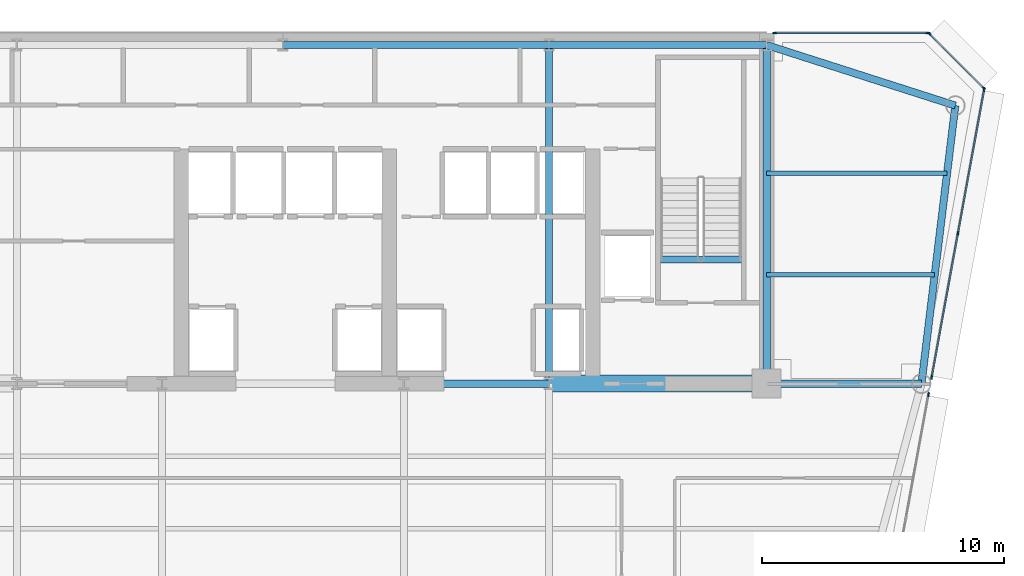
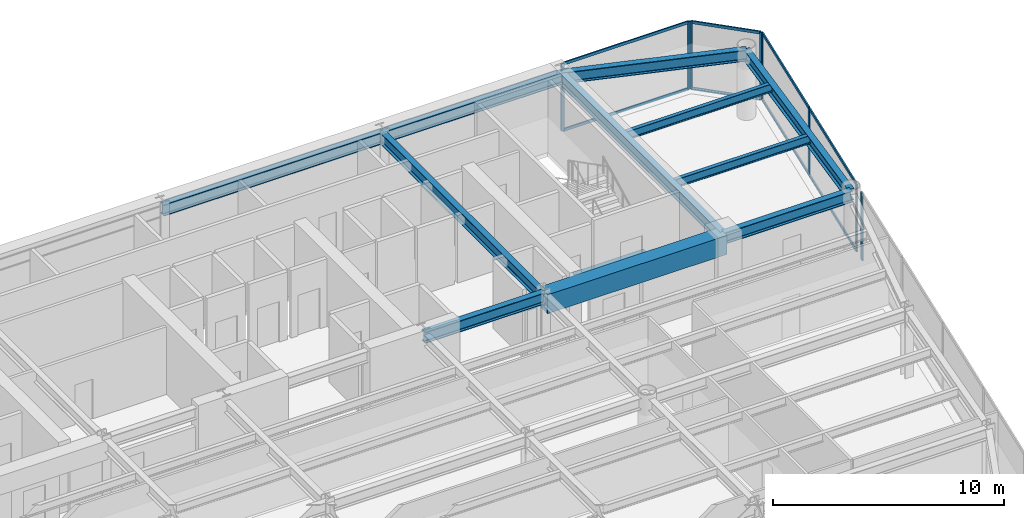
# One storey, part 9 of 17: 16 members, 12 beams, 4 elements without a shape of their own.
"""IFC4 building model written with IfcOpenShell, lengths in metres."""

from ifc_helpers import new_model, si_unit, direction, frame, origin, origin_2d, place, context, subcontext, project, spatial, rectangle, i_section, extrude, source, transform, mapped, material, layer, layer_set, material_profile, profile_set, type_object, element, aggregate, save


model = new_model("IFC4")

# Units and contexts
model_context = context("Model", 3, precision=1e-05, world=origin(), true_north=direction((0.0, 1.0)))
body_context = subcontext(model_context, "Body", "Model", "MODEL_VIEW")
ifc_project = project(units=[si_unit("LENGTHUNIT", "METRE"), si_unit("AREAUNIT", "SQUARE_METRE"), si_unit("VOLUMEUNIT", "CUBIC_METRE"), si_unit("PLANEANGLEUNIT", "RADIAN"), si_unit("MASSUNIT", "GRAM", prefix="KILO")], contexts=[model_context])

# Site, building, storey
site_placement = place(None, origin())
site = spatial("IfcSite", under=ifc_project, at=site_placement, CompositionType="ELEMENT")
building_placement = place(site_placement, origin())
building = spatial("IfcBuilding", under=site, at=building_placement, Name="Vaeldorn Concourse Tower", CompositionType="ELEMENT")
storey_placement = place(building_placement, frame((0.0, 0.0, 172.800048828125)))
storey = spatial("IfcBuildingStorey", under=building, at=storey_placement, Name="L44", CompositionType="ELEMENT", Elevation=172.800048828125)

# Beams
ifc_material_1 = material(Name="Concrete C50/60", Category="concrete")
ifc_material_profile_1 = material_profile(ifc_material_1, rectangle(XDim=0.699951171875, YDim=1.0, at=origin_2d()), Name="RC 700x1000")
ifc_profile_set_1 = profile_set([ifc_material_profile_1], Name="Concrete C50/60")
beam_type_1 = type_object("IfcBeamType", Name="BM-CB-RC700", PredefinedType="BEAM", material=ifc_profile_set_1)
shared_shape_1 = source(origin(), body_context, "Body", "SweptSolid", [
    extrude(rectangle(XDim=0.699951171875, YDim=1.0, at=origin_2d()), origin(), (0.0, 0.0, 1.0), 9.0),
])
beam_1_placement = place(storey_placement, frame((45.0, 36.5, 3.079833984375), z_axis=(1.0, 0.0, 0.0), x_axis=(0.0, 1.0, 0.0)))
element("IfcBeam", 1, at=beam_1_placement, inside=storey, type_object=beam_type_1, Name="Core Coupling Beam L44-2", PredefinedType="BEAM", context=body_context, shape_type="MappedRepresentation", body=[
    mapped(shared_shape_1, transform((0.0, 0.0, 0.0), scale=1.0)),
])
ifc_material_2 = material(Name="Steel S355", Category="steel")
ifc_material_profile_2 = material_profile(ifc_material_2, i_section(OverallWidth=0.300048828125, OverallDepth=0.340087890625, WebThickness=0.011962890625, FlangeThickness=0.021484375, FilletRadius=0.027099609375, at=origin_2d()), Name="HEB 340")
ifc_profile_set_2 = profile_set([ifc_material_profile_2], Name="Steel S355")
beam_type_2 = type_object("IfcBeamType", Name="BM-ST-TRIM", PredefinedType="BEAM", material=ifc_profile_set_2)
shared_shape_2 = source(origin(), body_context, "Body", "SweptSolid", [
    extrude(i_section(OverallWidth=0.300048828125, OverallDepth=0.340087890625, WebThickness=0.011962890625, FlangeThickness=0.021484375, FilletRadius=0.027099609375, at=origin_2d()), origin(), (0.0, 0.0, 1.0), 3.590087890625),
])
beam_2_placement = place(storey_placement, frame((49.47998046875, 41.639892578125, -0.39013671875), z_axis=(1.0, 0.0, 0.0), x_axis=(0.0, 1.0, 0.0)))
element("IfcBeam", 2, at=beam_2_placement, inside=storey, type_object=beam_type_2, Name="Stair Landing Trimmer Beam ST-2 L44", PredefinedType="BEAM", context=body_context, shape_type="MappedRepresentation", body=[
    mapped(shared_shape_2, transform((0.0, 0.0, 0.0), scale=1.0)),
])
ifc_material_profile_3 = material_profile(ifc_material_2, i_section(OverallWidth=0.18994140625, OverallDepth=0.449951171875, WebThickness=0.009521484375, FlangeThickness=0.0146484375, FilletRadius=0.02099609375, at=origin_2d()), Name="IPE 450")
ifc_profile_set_3 = profile_set([ifc_material_profile_3], Name="Steel S355")
beam_type_3 = type_object("IfcBeamType", Name="BM-JS-IPE450", PredefinedType="JOIST", material=ifc_profile_set_3)
shared_shape_3 = source(origin(), body_context, "Body", "SweptSolid", [
    extrude(i_section(OverallWidth=0.18994140625, OverallDepth=0.449951171875, WebThickness=0.009521484375, FlangeThickness=0.0146484375, FilletRadius=0.02099609375, at=origin_2d()), origin(), (0.0, 0.0, 1.0), 6.94775390625),
])
beam_3_placement = place(storey_placement, frame((54.0, 41.0, 3.35498046875), z_axis=(1.0, 0.0, 0.0), x_axis=(0.0, 1.0, 0.0)))
element("IfcBeam", 3, at=beam_3_placement, inside=storey, type_object=beam_type_3, Name="Beam JS-L44-NE-410", PredefinedType="JOIST", context=body_context, shape_type="MappedRepresentation", body=[
    mapped(shared_shape_3, transform((0.0, 0.0, 0.0), scale=1.0)),
])
shared_shape_4 = source(origin(), body_context, "Body", "SweptSolid", [
    extrude(i_section(OverallWidth=0.18994140625, OverallDepth=0.449951171875, WebThickness=0.009521484375, FlangeThickness=0.0146484375, FilletRadius=0.02099609375, at=origin_2d()), origin(), (0.0, 0.0, 1.0), 7.458984375),
])
beam_4_placement = place(storey_placement, frame((54.0, 45.199951171875, 3.35498046875), z_axis=(1.0, 0.0, 0.0), x_axis=(0.0, 1.0, 0.0)))
element("IfcBeam", 4, at=beam_4_placement, inside=storey, type_object=beam_type_3, Name="Beam JS-L44-NE-452", PredefinedType="JOIST", context=body_context, shape_type="MappedRepresentation", body=[
    mapped(shared_shape_4, transform((0.0, 0.0, 0.0), scale=1.0)),
])
ifc_material_profile_4 = material_profile(ifc_material_2, i_section(OverallWidth=0.300048828125, OverallDepth=0.60009765625, WebThickness=0.015380859375, FlangeThickness=0.030029296875, FilletRadius=0.027099609375, at=origin_2d()), Name="HEB 600")
ifc_profile_set_4 = profile_set([ifc_material_profile_4], Name="Steel S355")
beam_type_4 = type_object("IfcBeamType", Name="BM-PG-HEB600", PredefinedType="BEAM", material=ifc_profile_set_4)
shared_shape_5 = source(origin(), body_context, "Body", "SweptSolid", [
    extrude(i_section(OverallWidth=0.300048828125, OverallDepth=0.60009765625, WebThickness=0.015380859375, FlangeThickness=0.030029296875, FilletRadius=0.027099609375, at=origin_2d()), origin(), (0.0, 0.0, 1.0), 6.0),
])
beam_5_placement = place(storey_placement, frame((39.0, 36.5, 3.280029296875), z_axis=(1.0, 0.0, 0.0), x_axis=(0.0, 1.0, 0.0)))
element("IfcBeam", 5, at=beam_5_placement, inside=storey, type_object=beam_type_4, Name="Beam BM-L44-C-FC4-C-FC5", PredefinedType="BEAM", context=body_context, shape_type="MappedRepresentation", body=[
    mapped(shared_shape_5, transform((0.0, 0.0, 0.0), scale=1.0)),
])
shared_shape_6 = source(origin(), body_context, "Body", "SweptSolid", [
    extrude(i_section(OverallWidth=0.300048828125, OverallDepth=0.60009765625, WebThickness=0.015380859375, FlangeThickness=0.030029296875, FilletRadius=0.027099609375, at=origin_2d()), origin(), (0.0, 0.0, 1.0), 9.0),
])
beam_6_placement = place(storey_placement, frame((45.0, 50.5, 3.280029296875), z_axis=(1.0, 0.0, 0.0), x_axis=(0.0, 1.0, 0.0)))
element("IfcBeam", 6, at=beam_6_placement, inside=storey, type_object=beam_type_4, Name="Beam BM-L44-C-HC4-C-HC5", PredefinedType="BEAM", context=body_context, shape_type="MappedRepresentation", body=[
    mapped(shared_shape_6, transform((0.0, 0.0, 0.0), scale=1.0)),
])
shared_shape_7 = source(origin(), body_context, "Body", "SweptSolid", [
    extrude(i_section(OverallWidth=0.300048828125, OverallDepth=0.60009765625, WebThickness=0.015380859375, FlangeThickness=0.030029296875, FilletRadius=0.027099609375, at=origin_2d()), origin(), (0.0, 0.0, 1.0), 11.0),
])
beam_7_placement = place(storey_placement, frame((34.0, 50.5, 3.280029296875), z_axis=(1.0, 0.0, 0.0), x_axis=(0.0, 1.0, 0.0)))
element("IfcBeam", 7, at=beam_7_placement, inside=storey, type_object=beam_type_4, Name="Beam BM-L44-C-HC3-C-HC4", PredefinedType="BEAM", context=body_context, shape_type="MappedRepresentation", body=[
    mapped(shared_shape_7, transform((0.0, 0.0, 0.0), scale=1.0)),
])
shared_shape_8 = source(origin(), body_context, "Body", "SweptSolid", [
    extrude(i_section(OverallWidth=0.300048828125, OverallDepth=0.60009765625, WebThickness=0.015380859375, FlangeThickness=0.030029296875, FilletRadius=0.027099609375, at=origin_2d()), origin(), (0.0, 0.0, 1.0), 14.0),
])
for number, where, z_axis, x_axis, name in (
    (8, (45.0, 36.5, 3.280029296875), (0.0, 1.0, 0.0), (-1.0, 0.0, 0.0), "Beam BM-L44-C-FC5-C-HC4"),
    (9, (54.0, 36.5, 3.280029296875), (0.0, 1.0, 0.0), (-1.0, 0.0, 0.0), "Beam BM-L44-C-FC6-C-HC5"),
):
    element("IfcBeam", number, at=place(storey_placement, frame(where, z_axis=z_axis, x_axis=x_axis)), inside=storey, type_object=beam_type_4, Name=name, PredefinedType="BEAM", context=body_context, shape_type="MappedRepresentation", body=[
        mapped(shared_shape_8, transform((0.0, 0.0, 0.0), scale=1.0)),
    ])
shared_shape_9 = source(origin(), body_context, "Body", "SweptSolid", [
    extrude(i_section(OverallWidth=0.300048828125, OverallDepth=0.60009765625, WebThickness=0.015380859375, FlangeThickness=0.030029296875, FilletRadius=0.027099609375, at=origin_2d()), origin(), (0.0, 0.0, 1.0), 8.19091796875),
])
beam_8_placement = place(storey_placement, frame((54.0, 50.5, 3.280029296875), z_axis=(0.952282843383, -0.305216949396, 0.0), x_axis=(0.305216949396, 0.952282843383, 0.0)))
element("IfcBeam", 10, at=beam_8_placement, inside=storey, type_object=beam_type_4, Name="Beam BM-L44-C-HC5-C-NE1", PredefinedType="BEAM", context=body_context, shape_type="MappedRepresentation", body=[
    mapped(shared_shape_9, transform((0.0, 0.0, 0.0), scale=1.0)),
])
shared_shape_10 = source(origin(), body_context, "Body", "SweptSolid", [
    extrude(i_section(OverallWidth=0.300048828125, OverallDepth=0.60009765625, WebThickness=0.015380859375, FlangeThickness=0.030029296875, FilletRadius=0.027099609375, at=origin_2d()), origin(), (0.0, 0.0, 1.0), 11.5849609375),
])
beam_9_placement = place(storey_placement, frame((61.800048828125, 48.0, 3.280029296875), z_axis=(-0.120859382899, -0.992669637677, 0.0), x_axis=(0.992669637677, -0.120859382899, 0.0)))
element("IfcBeam", 11, at=beam_9_placement, inside=storey, type_object=beam_type_4, Name="Beam BM-L44-C-NE1-C-NE2", PredefinedType="BEAM", context=body_context, shape_type="MappedRepresentation", body=[
    mapped(shared_shape_10, transform((0.0, 0.0, 0.0), scale=1.0)),
])
shared_shape_11 = source(origin(), body_context, "Body", "SweptSolid", [
    extrude(i_section(OverallWidth=0.300048828125, OverallDepth=0.60009765625, WebThickness=0.015380859375, FlangeThickness=0.030029296875, FilletRadius=0.027099609375, at=origin_2d()), origin(), (0.0, 0.0, 1.0), 6.39990234375),
])
beam_10_placement = place(storey_placement, frame((54.0, 36.5, 3.280029296875), z_axis=(1.0, 0.0, 0.0), x_axis=(0.0, 1.0, 0.0)))
element("IfcBeam", 12, at=beam_10_placement, inside=storey, type_object=beam_type_4, Name="Beam BM-L44-C-FC6-C-NE2", PredefinedType="BEAM", context=body_context, shape_type="MappedRepresentation", body=[
    mapped(shared_shape_11, transform((0.0, 0.0, 0.0), scale=1.0)),
])

# Curtain wall, member
ifc_material_3 = material(Name="Anodised Bronze Aluminium", Category="aluminium")
ifc_layer = layer(ifc_material_3, 0.18994140625)
ifc_layer_set = layer_set([ifc_layer], Name="Anodised Bronze Aluminium")
curtain_wall_type = type_object("IfcCurtainWallType", Name="CW-SYS-03", PredefinedType="NOTDEFINED", material=ifc_layer_set)
curtain_wall_1_placement = place(storey_placement, origin())
curtain_wall_1 = element("IfcCurtainWall", 13, at=curtain_wall_1_placement, inside=storey, type_object=curtain_wall_type, Name="Unitised Curtain Wall CW-L44-E07-1", PredefinedType="NOTDEFINED")
ifc_material_profile_5 = material_profile(ifc_material_3, rectangle(XDim=0.06494140625, YDim=0.169921875, at=origin_2d()), Name="CWM 65x170")
ifc_profile_set_5 = profile_set([ifc_material_profile_5], Name="Anodised Bronze Aluminium")
member_type_1 = type_object("IfcMemberType", Name="CWM-BRONZE-170", PredefinedType="MULLION", material=ifc_profile_set_5)
shared_shape_12 = source(origin(), body_context, "Body", "SweptSolid", [
    extrude(rectangle(XDim=0.06494140625, YDim=0.169921875, at=origin_2d()), origin(), (0.0, 0.0, 1.0), 3.579833984375),
])
member_1_placement = place(storey_placement, frame((60.69287109375, 36.051513671875, 0.0), z_axis=(0.0, 0.0, 1.0), x_axis=(-0.983767841325, 0.179445909331, 0.0)))
member_1 = element("IfcMember", 14, at=member_1_placement, type_object=member_type_1, Name="CW-03 mullion 7", PredefinedType="MULLION", context=body_context, shape_type="MappedRepresentation", body=[
    mapped(shared_shape_12, transform((0.0, 0.0, 0.0), scale=1.0)),
])
aggregate(curtain_wall_1, [member_1])

# Curtain wall, members
curtain_wall_2_placement = place(storey_placement, origin())
curtain_wall_2 = element("IfcCurtainWall", 15, at=curtain_wall_2_placement, inside=storey, type_object=curtain_wall_type, Name="Unitised Curtain Wall CW-L44-E07-2", PredefinedType="NOTDEFINED")
member_2_placement = place(storey_placement, frame((60.822265625, 36.761474609375, 0.0), z_axis=(0.0, 0.0, 1.0), x_axis=(-0.983767579285, 0.179447345892, 0.0)))
member_2 = element("IfcMember", 16, at=member_2_placement, type_object=member_type_1, Name="CW-03 mullion 1", PredefinedType="MULLION", context=body_context, shape_type="MappedRepresentation", body=[
    mapped(shared_shape_12, transform((0.0, 0.0, 0.0), scale=1.0)),
])
member_3_placement = place(storey_placement, frame((61.908203125, 42.71484375, 0.0), z_axis=(0.0, 0.0, 1.0), x_axis=(-0.983767579285, 0.179447345892, 0.0)))
member_3 = element("IfcMember", 17, at=member_3_placement, type_object=member_type_1, Name="CW-03 mullion 2", PredefinedType="MULLION", context=body_context, shape_type="MappedRepresentation", body=[
    mapped(shared_shape_12, transform((0.0, 0.0, 0.0), scale=1.0)),
])
member_4_placement = place(storey_placement, frame((62.994140625, 48.66796875, 0.0), z_axis=(0.0, 0.0, 1.0), x_axis=(-0.983767579285, 0.179447345892, 0.0)))
member_4 = element("IfcMember", 18, at=member_4_placement, type_object=member_type_1, Name="CW-03 mullion 3", PredefinedType="MULLION", context=body_context, shape_type="MappedRepresentation", body=[
    mapped(shared_shape_12, transform((0.0, 0.0, 0.0), scale=1.0)),
])

curtain_wall_3_placement = place(storey_placement, origin())
curtain_wall_3 = element("IfcCurtainWall", 19, at=curtain_wall_3_placement, inside=storey, type_object=curtain_wall_type, Name="Unitised Curtain Wall CW-L44-E08-1", PredefinedType="NOTDEFINED")
member_5_placement = place(storey_placement, frame((62.97705078125, 48.722900390625, 0.0), z_axis=(0.0, 0.0, 1.0), x_axis=(-0.707106781187, -0.707106781187, 0.0)))
member_5 = element("IfcMember", 20, at=member_5_placement, type_object=member_type_1, Name="CW-03 mullion 1", PredefinedType="MULLION", context=body_context, shape_type="MappedRepresentation", body=[
    mapped(shared_shape_12, transform((0.0, 0.0, 0.0), scale=1.0)),
])
member_6_placement = place(storey_placement, frame((60.722900390625, 50.97705078125, 0.0), z_axis=(0.0, 0.0, 1.0), x_axis=(-0.707106781187, -0.707106781187, 0.0)))
member_6 = element("IfcMember", 21, at=member_6_placement, type_object=member_type_1, Name="CW-03 mullion 2", PredefinedType="MULLION", context=body_context, shape_type="MappedRepresentation", body=[
    mapped(shared_shape_12, transform((0.0, 0.0, 0.0), scale=1.0)),
])

curtain_wall_4_placement = place(storey_placement, origin())
curtain_wall_4 = element("IfcCurtainWall", 22, at=curtain_wall_4_placement, inside=storey, type_object=curtain_wall_type, Name="Unitised Curtain Wall CW-L44-E09-1", PredefinedType="NOTDEFINED")
member_7_placement = place(storey_placement, frame((60.66748046875, 51.0, 0.0), z_axis=(0.0, 0.0, 1.0), x_axis=(0.0, -1.0, 0.0)))
member_7 = element("IfcMember", 23, at=member_7_placement, type_object=member_type_1, Name="CW-03 mullion 1", PredefinedType="MULLION", context=body_context, shape_type="MappedRepresentation", body=[
    mapped(shared_shape_12, transform((0.0, 0.0, 0.0), scale=1.0)),
])
member_8_placement = place(storey_placement, frame((54.327392578125, 51.0, 0.0), z_axis=(0.0, 0.0, 1.0), x_axis=(0.0, -1.0, 0.0)))
member_8 = element("IfcMember", 24, at=member_8_placement, type_object=member_type_1, Name="CW-03 mullion 2", PredefinedType="MULLION", context=body_context, shape_type="MappedRepresentation", body=[
    mapped(shared_shape_12, transform((0.0, 0.0, 0.0), scale=1.0)),
])

# Member
ifc_material_profile_6 = material_profile(ifc_material_3, rectangle(XDim=0.06494140625, YDim=0.14990234375, at=origin_2d()), Name="CWT 65x150")
ifc_profile_set_6 = profile_set([ifc_material_profile_6], Name="Anodised Bronze Aluminium")
member_type_2 = type_object("IfcMemberType", Name="CWT-BRONZE-150", PredefinedType="USERDEFINED", material=ifc_profile_set_6)
shared_shape_13 = source(origin(), body_context, "Body", "SweptSolid", [
    extrude(rectangle(XDim=0.06494140625, YDim=0.14990234375, at=origin_2d()), origin(), (0.0, 0.0, 1.0), 3.123046875),
])
member_9_placement = place(storey_placement, frame((62.9541015625, 48.745849609375, 0.032470703125), z_axis=(-0.707106781187, 0.707106781187, 0.0), x_axis=(-0.707106781187, -0.707106781187, 0.0)))
member_9 = element("IfcMember", 25, at=member_9_placement, type_object=member_type_2, Name="CW-03 transom 1.1", ObjectType="TRANSOM", PredefinedType="USERDEFINED", context=body_context, shape_type="MappedRepresentation", body=[
    mapped(shared_shape_13, transform((0.0, 0.0, 0.0), scale=1.0)),
])

member_10_placement = place(storey_placement, frame((62.9541015625, 48.745849609375, 3.54736328125), z_axis=(-0.707106781187, 0.707106781187, 0.0), x_axis=(-0.707106781187, -0.707106781187, 0.0)))
member_10 = element("IfcMember", 26, at=member_10_placement, type_object=member_type_2, Name="CW-03 transom 1.2", ObjectType="TRANSOM", PredefinedType="USERDEFINED", context=body_context, shape_type="MappedRepresentation", body=[
    mapped(shared_shape_13, transform((0.0, 0.0, 0.0), scale=1.0)),
])

aggregate(curtain_wall_3, [member_5, member_6, member_9, member_10])

shared_shape_14 = source(origin(), body_context, "Body", "SweptSolid", [
    extrude(rectangle(XDim=0.06494140625, YDim=0.14990234375, at=origin_2d()), origin(), (0.0, 0.0, 1.0), 5.986572265625),
])
member_11_placement = place(storey_placement, frame((60.828125, 36.79345703125, 0.032470703125), z_axis=(0.179438079261, 0.98376926955, 0.0), x_axis=(-0.98376926955, 0.179438079261, 0.0)))
member_11 = element("IfcMember", 27, at=member_11_placement, type_object=member_type_2, Name="CW-03 transom 1.1", ObjectType="TRANSOM", PredefinedType="USERDEFINED", context=body_context, shape_type="MappedRepresentation", body=[
    mapped(shared_shape_14, transform((0.0, 0.0, 0.0), scale=1.0)),
])

member_12_placement = place(storey_placement, frame((60.828125, 36.79345703125, 3.54736328125), z_axis=(0.179438079261, 0.98376926955, 0.0), x_axis=(-0.98376926955, 0.179438079261, 0.0)))
member_12 = element("IfcMember", 28, at=member_12_placement, type_object=member_type_2, Name="CW-03 transom 1.2", ObjectType="TRANSOM", PredefinedType="USERDEFINED", context=body_context, shape_type="MappedRepresentation", body=[
    mapped(shared_shape_14, transform((0.0, 0.0, 0.0), scale=1.0)),
])

shared_shape_15 = source(origin(), body_context, "Body", "SweptSolid", [
    extrude(rectangle(XDim=0.06494140625, YDim=0.14990234375, at=origin_2d()), origin(), (0.0, 0.0, 1.0), 5.986328125),
])
member_13_placement = place(storey_placement, frame((61.9140625, 42.746826171875, 0.032470703125), z_axis=(0.179445278506, 0.983767956391, 0.0), x_axis=(-0.983767956391, 0.179445278506, 0.0)))
member_13 = element("IfcMember", 29, at=member_13_placement, type_object=member_type_2, Name="CW-03 transom 2.1", ObjectType="TRANSOM", PredefinedType="USERDEFINED", context=body_context, shape_type="MappedRepresentation", body=[
    mapped(shared_shape_15, transform((0.0, 0.0, 0.0), scale=1.0)),
])

member_14_placement = place(storey_placement, frame((61.9140625, 42.746826171875, 3.54736328125), z_axis=(0.179445278506, 0.983767956391, 0.0), x_axis=(-0.983767956391, 0.179445278506, 0.0)))
member_14 = element("IfcMember", 30, at=member_14_placement, type_object=member_type_2, Name="CW-03 transom 2.2", ObjectType="TRANSOM", PredefinedType="USERDEFINED", context=body_context, shape_type="MappedRepresentation", body=[
    mapped(shared_shape_15, transform((0.0, 0.0, 0.0), scale=1.0)),
])

aggregate(curtain_wall_2, [member_2, member_3, member_4, member_11, member_12, member_13, member_14])

shared_shape_16 = source(origin(), body_context, "Body", "SweptSolid", [
    extrude(rectangle(XDim=0.06494140625, YDim=0.14990234375, at=origin_2d()), origin(), (0.0, 0.0, 1.0), 6.27490234375),
])
member_15_placement = place(storey_placement, frame((60.635009765625, 51.0, 0.032470703125), z_axis=(-1.0, 0.0, 0.0), x_axis=(0.0, -1.0, 0.0)))
member_15 = element("IfcMember", 31, at=member_15_placement, type_object=member_type_2, Name="CW-03 transom 1.1", ObjectType="TRANSOM", PredefinedType="USERDEFINED", context=body_context, shape_type="MappedRepresentation", body=[
    mapped(shared_shape_16, transform((0.0, 0.0, 0.0), scale=1.0)),
])

member_16_placement = place(storey_placement, frame((60.635009765625, 51.0, 3.54736328125), z_axis=(-1.0, 0.0, 0.0), x_axis=(0.0, -1.0, 0.0)))
member_16 = element("IfcMember", 32, at=member_16_placement, type_object=member_type_2, Name="CW-03 transom 1.2", ObjectType="TRANSOM", PredefinedType="USERDEFINED", context=body_context, shape_type="MappedRepresentation", body=[
    mapped(shared_shape_16, transform((0.0, 0.0, 0.0), scale=1.0)),
])

aggregate(curtain_wall_4, [member_7, member_8, member_15, member_16])

save(model, "model.ifc")
